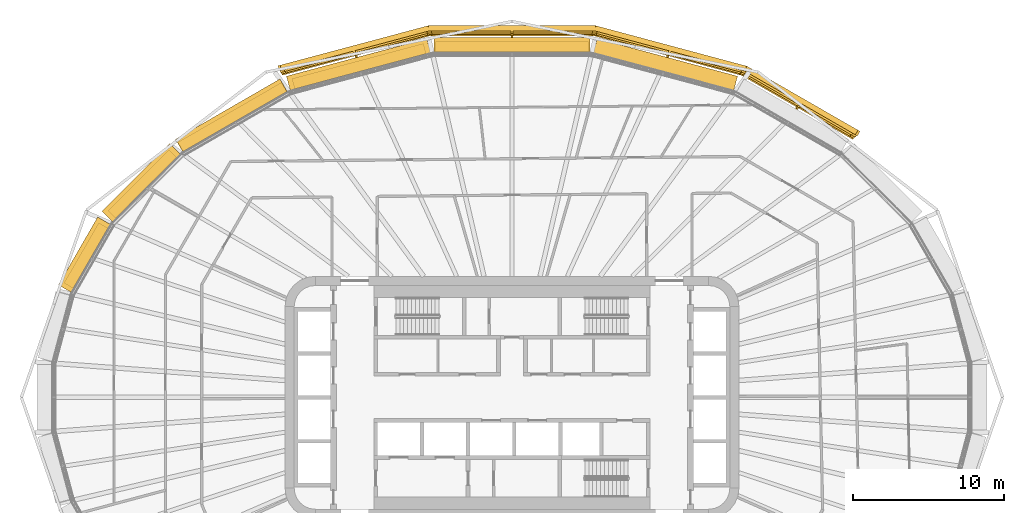
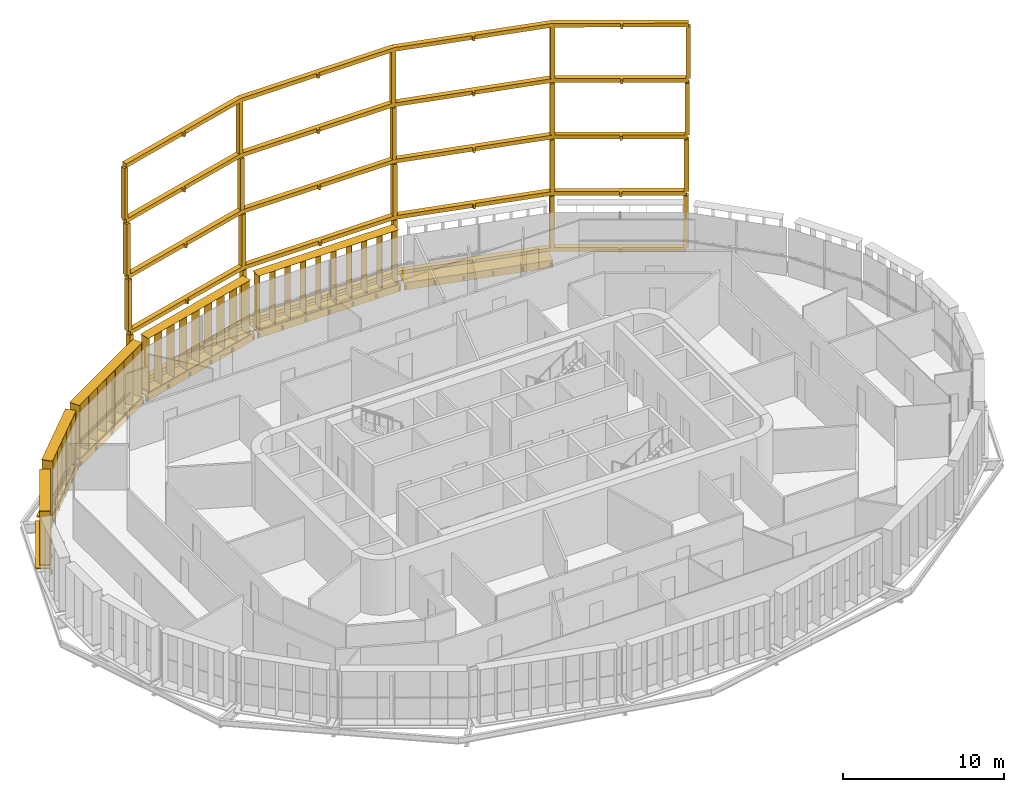
# One storey, part 21 of 22: 12 shading devices.
"""IFC4 building model written with IfcOpenShell, lengths in metres."""

from ifc_helpers import new_model, si_unit, direction, frame, origin, origin_2d, place, context, subcontext, project, spatial, polyline, rectangle, outline, extrude, material, type_object, element, save


model = new_model("IFC4")

# Units and contexts
model_context = context("Model", 3, precision=1e-05, world=origin(), true_north=direction((0.0, 1.0)))
body_context = subcontext(model_context, "Body", "Model", "MODEL_VIEW")
ifc_project = project(units=[si_unit("LENGTHUNIT", "METRE"), si_unit("AREAUNIT", "SQUARE_METRE"), si_unit("VOLUMEUNIT", "CUBIC_METRE"), si_unit("PLANEANGLEUNIT", "RADIAN"), si_unit("MASSUNIT", "GRAM", prefix="KILO")], contexts=[model_context])

# Site, building, storey
site_placement = place(None, origin())
site = spatial("IfcSite", under=ifc_project, at=site_placement, CompositionType="ELEMENT")
building_placement = place(site_placement, origin())
building = spatial("IfcBuilding", under=site, at=building_placement, Name="Sahrelin Media Tower", CompositionType="ELEMENT")
storey_placement = place(building_placement, frame((0.0, 0.0, 50.39990234375)))
storey = spatial("IfcBuildingStorey", under=building, at=storey_placement, Name="L07", CompositionType="ELEMENT", Elevation=50.39990234375)

# Shading devices
ifc_material_1 = material(Name="Dark bronze anodised aluminium 6063-T6", Category="aluminium")
shading_device_type_1 = type_object("IfcShadingDeviceType", Name="Deep frame", PredefinedType="USERDEFINED", material=ifc_material_1)
shading_device_1_placement = place(storey_placement, frame((21.818359375, 16.126708984375, 0.0), z_axis=(0.0, 0.0, 1.0), x_axis=(0.866019052629, -0.500011000363, 0.0)))
element("IfcShadingDevice", 1, at=shading_device_1_placement, inside=storey, type_object=shading_device_type_1, Name="L07:FRAME:F1-1", ObjectType="FRAME", PredefinedType="USERDEFINED", context=body_context, shape_type="SweptSolid", body=[
    extrude(rectangle(XDim=0.300048828125, YDim=0.35009765625, at=origin_2d()), frame((0.0, 1.324951171875, 0.14990234375), z_axis=(0.0, 0.0, 1.0), x_axis=(-1.0, 0.0, 0.0)), (0.0, 0.0, 1.0), 3.900146484375),
    extrude(rectangle(XDim=0.300048828125, YDim=0.35009765625, at=origin_2d()), frame((-8.346923828125, 1.313720703125, 0.14990234375), z_axis=(0.0, 0.0, 1.0), x_axis=(-0.991434606813, -0.130604059715, 0.0)), (0.0, 0.0, 1.0), 3.900146484375),
    extrude(rectangle(XDim=0.300048828125, YDim=0.35009765625, at=origin_2d()), frame((-18.153564453125, -1.31396484375, 0.14990234375), z_axis=(0.0, 0.0, 1.0), x_axis=(-0.923876860854, -0.382689882252, 0.0)), (0.0, 0.0, 1.0), 3.900146484375),
    extrude(rectangle(XDim=0.300048828125, YDim=0.35009765625, at=origin_2d()), frame((-27.57568359375, -6.75390625, 0.14990234375), z_axis=(0.0, 0.0, 1.0), x_axis=(-0.793400087474, -0.608700502051, 0.0)), (0.0, 0.0, 1.0), 3.900146484375),
    extrude(rectangle(XDim=0.300048828125, YDim=0.35009765625, at=origin_2d()), frame((-34.640380859375, -13.802490234375, 0.14990234375), z_axis=(0.0, 0.0, 1.0), x_axis=(-0.707106781187, -0.707106781187, 0.0)), (0.0, 0.0, 1.0), 3.900146484375),
    extrude(outline(polyline([(-4.162109375, 0.969970703125), (-4.011962890625, 0.969970703125), (-4.011962890625, 1.14453125), (0.000244140625, 1.14990234375), (-0.000244140625, 1.5), (-8.34716796875, 1.48876953125), (-8.346923828125, 1.313720703125), (-8.392333984375, 1.482666015625), (-18.19873046875, -1.14501953125), (-18.153564453125, -1.31396484375), (-18.240966796875, -1.16259765625), (-27.6630859375, -6.602294921875), (-27.57568359375, -6.75390625), (-27.69921875, -6.6298828125), (-34.763916015625, -13.6787109375), (-34.5166015625, -13.926513671875), (-31.098388671875, -10.51611328125), (-30.97509765625, -10.639404296875), (-30.869140625, -10.533203125), (-30.992431640625, -10.409912109375), (-27.46826171875, -6.89404296875), (-22.842041015625, -4.222900390625), (-22.7578125, -4.369140625), (-22.627685546875, -4.294189453125), (-22.712158203125, -4.14794921875), (-18.0859375, -1.47705078125), (-13.27734375, -0.188720703125), (-13.233642578125, -0.3515625), (-13.0888671875, -0.312744140625), (-13.132568359375, -0.14990234375), (-8.32373046875, 1.138671875), (-4.162109375, 1.144287109375), (-4.162109375, 0.969970703125)])), frame((0.0, 0.0, -0.14990234375)), (0.0, 0.0, 1.0), 0.2998046875),
    extrude(rectangle(XDim=0.300048828125, YDim=0.35009765625, at=origin_2d()), frame((0.0361328125, 1.413818359375, 4.35009765625), z_axis=(0.0, 0.0, 1.0), x_axis=(-1.0, 0.0, 0.0)), (0.0, 0.0, 1.0), 3.89990234375),
    extrude(rectangle(XDim=0.300048828125, YDim=0.35009765625, at=origin_2d()), frame((-8.339599609375, 1.402587890625, 4.35009765625), z_axis=(0.0, 0.0, 1.0), x_axis=(-0.991447594891, -0.130505427419, 0.0)), (0.0, 0.0, 1.0), 3.89990234375),
    extrude(rectangle(XDim=0.300048828125, YDim=0.35009765625, at=origin_2d()), frame((-18.178955078125, -1.23388671875, 4.35009765625), z_axis=(0.0, 0.0, 1.0), x_axis=(-0.923876860854, -0.382689882252, 0.0)), (0.0, 0.0, 1.0), 3.89990234375),
    extrude(rectangle(XDim=0.300048828125, YDim=0.35009765625, at=origin_2d()), frame((-27.63232421875, -6.69189453125, 4.35009765625), z_axis=(0.0, 0.0, 1.0), x_axis=(-0.793362902596, -0.608748966968, 0.0)), (0.0, 0.0, 1.0), 3.89990234375),
    extrude(rectangle(XDim=0.300048828125, YDim=0.35009765625, at=origin_2d()), frame((-34.720947265625, -13.764404296875, 4.35009765625), z_axis=(0.0, 0.0, 1.0), x_axis=(-0.707106781187, -0.707106781187, 0.0)), (0.0, 0.0, 1.0), 3.89990234375),
    extrude(outline(polyline([(-4.140380859375, 1.058837890625), (-3.990234375, 1.058837890625), (-3.990234375, 1.2333984375), (0.036376953125, 1.239013671875), (0.035888671875, 1.5888671875), (-8.33984375, 1.577392578125), (-8.339599609375, 1.402587890625), (-8.385009765625, 1.571533203125), (-18.224365234375, -1.06494140625), (-18.178955078125, -1.23388671875), (-18.2666015625, -1.08251953125), (-27.7197265625, -6.540283203125), (-27.63232421875, -6.69189453125), (-27.755859375, -6.56787109375), (-34.844482421875, -13.640380859375), (-34.597412109375, -13.88818359375), (-31.1669921875, -10.4658203125), (-31.043701171875, -10.58935546875), (-30.937744140625, -10.483154296875), (-31.06103515625, -10.35986328125), (-27.52490234375, -6.831787109375), (-22.883056640625, -4.15185546875), (-22.798828125, -4.298095703125), (-22.6689453125, -4.222900390625), (-22.753173828125, -4.076904296875), (-18.111572265625, -1.39697265625), (-13.28662109375, -0.104248046875), (-13.242919921875, -0.26708984375), (-13.097900390625, -0.228271484375), (-13.1416015625, -0.0654296875), (-8.31640625, 1.2275390625), (-4.140380859375, 1.233154296875), (-4.140380859375, 1.058837890625)])), frame((0.0, 0.0, 4.050048828125)), (0.0, 0.0, 1.0), 0.300048828125),
    extrude(rectangle(XDim=0.300048828125, YDim=0.35009765625, at=origin_2d()), frame((0.084716796875, 1.5341796875, 8.550048828125), z_axis=(0.0, 0.0, 1.0), x_axis=(-1.0, 0.0, 0.0)), (0.0, 0.0, 1.0), 3.89990234375),
    extrude(rectangle(XDim=0.300048828125, YDim=0.35009765625, at=origin_2d()), frame((-8.329833984375, 1.522705078125, 8.550048828125), z_axis=(0.0, 0.0, 1.0), x_axis=(-0.991449189241, -0.130493314592, 0.0)), (0.0, 0.0, 1.0), 3.89990234375),
    extrude(rectangle(XDim=0.300048828125, YDim=0.35009765625, at=origin_2d()), frame((-18.21337890625, -1.12548828125, 8.550048828125), z_axis=(0.0, 0.0, 1.0), x_axis=(-0.923862165937, -0.382725356294, 0.0)), (0.0, 0.0, 1.0), 3.89990234375),
    extrude(rectangle(XDim=0.300048828125, YDim=0.35009765625, at=origin_2d()), frame((-27.708984375, -6.607666015625, 8.550048828125), z_axis=(0.0, 0.0, 1.0), x_axis=(-0.793400087474, -0.608700502051, 0.0)), (0.0, 0.0, 1.0), 3.89990234375),
    extrude(rectangle(XDim=0.300048828125, YDim=0.35009765625, at=origin_2d()), frame((-34.829833984375, -13.712646484375, 8.550048828125), z_axis=(0.0, 0.0, 1.0), x_axis=(-0.707056179876, -0.707157378876, 0.0)), (0.0, 0.0, 1.0), 3.89990234375),
    extrude(outline(polyline([(-4.111083984375, 1.17919921875), (-3.961181640625, 1.17919921875), (-3.961181640625, 1.353759765625), (0.0849609375, 1.359130859375), (0.084716796875, 1.708984375), (-8.330078125, 1.69775390625), (-8.329833984375, 1.522705078125), (-8.375244140625, 1.69189453125), (-18.2587890625, -0.956298828125), (-18.21337890625, -1.12548828125), (-18.301025390625, -0.973876953125), (-27.79638671875, -6.4560546875), (-27.708984375, -6.607666015625), (-27.83251953125, -6.48388671875), (-34.95361328125, -13.5888671875), (-34.706298828125, -13.83642578125), (-31.260009765625, -10.39794921875), (-31.13671875, -10.521484375), (-31.030517578125, -10.415283203125), (-31.15380859375, -10.2919921875), (-27.6015625, -6.747802734375), (-22.938720703125, -4.0556640625), (-22.8544921875, -4.20166015625), (-22.724609375, -4.126708984375), (-22.808837890625, -3.980712890625), (-18.14599609375, -1.28857421875), (-13.298828125, 0.01025390625), (-13.255126953125, -0.152587890625), (-13.1103515625, -0.114013671875), (-13.154052734375, 0.049072265625), (-8.306884765625, 1.347900390625), (-4.111083984375, 1.353515625), (-4.111083984375, 1.17919921875)])), frame((0.0, 0.0, 8.25)), (0.0, 0.0, 1.0), 0.300048828125),
    extrude(rectangle(XDim=0.300048828125, YDim=0.35009765625, at=origin_2d()), frame((0.14306640625, 1.677490234375, 12.75), z_axis=(0.0, 0.0, 1.0), x_axis=(-1.0, 0.0, 0.0)), (0.0, 0.0, 1.0), 3.89990234375),
    extrude(rectangle(XDim=0.300048828125, YDim=0.35009765625, at=origin_2d()), frame((-8.318115234375, 1.666015625, 12.75), z_axis=(0.0, 0.0, 1.0), x_axis=(-0.991434606813, -0.130604059715, 0.0)), (0.0, 0.0, 1.0), 3.89990234375),
    extrude(rectangle(XDim=0.300048828125, YDim=0.35009765625, at=origin_2d()), frame((-18.25439453125, -0.996337890625, 12.75), z_axis=(0.0, 0.0, 1.0), x_axis=(-0.923876860854, -0.382689882252, 0.0)), (0.0, 0.0, 1.0), 3.89990234375),
    extrude(rectangle(XDim=0.300048828125, YDim=0.35009765625, at=origin_2d()), frame((-27.80029296875, -6.5078125, 12.75), z_axis=(0.0, 0.0, 1.0), x_axis=(-0.793362902596, -0.608748966968, 0.0)), (0.0, 0.0, 1.0), 3.89990234375),
    extrude(rectangle(XDim=0.300048828125, YDim=0.35009765625, at=origin_2d()), frame((-34.9599609375, -13.651123046875, 12.75), z_axis=(0.0, 0.0, 1.0), x_axis=(-0.707106781187, -0.707106781187, 0.0)), (0.0, 0.0, 1.0), 3.89990234375),
    extrude(outline(polyline([(-4.076171875, 1.322509765625), (-3.926025390625, 1.322509765625), (-3.926025390625, 1.496826171875), (0.143310546875, 1.50244140625), (0.142578125, 1.852294921875), (-8.318359375, 1.841064453125), (-8.318115234375, 1.666015625), (-8.363525390625, 1.835205078125), (-18.2998046875, -0.827392578125), (-18.25439453125, -0.996337890625), (-18.341796875, -0.8447265625), (-27.887939453125, -6.356201171875), (-27.80029296875, -6.5078125), (-27.924072265625, -6.3837890625), (-35.08349609375, -13.52734375), (-34.836181640625, -13.775146484375), (-31.37060546875, -10.317138671875), (-31.247314453125, -10.440673828125), (-31.14111328125, -10.33447265625), (-31.264404296875, -10.211181640625), (-27.693115234375, -6.647705078125), (-23.0048828125, -3.94091796875), (-22.92041015625, -4.087158203125), (-22.79052734375, -4.01220703125), (-22.875, -3.865966796875), (-18.18701171875, -1.159423828125), (-13.3134765625, 0.146484375), (-13.269775390625, -0.0166015625), (-13.125, 0.022216796875), (-13.168701171875, 0.185302734375), (-8.294921875, 1.4912109375), (-4.076171875, 1.49658203125), (-4.076171875, 1.322509765625)])), frame((0.0, 0.0, 12.449951171875)), (0.0, 0.0, 1.0), 0.300048828125),
    extrude(outline(polyline([(-4.076171875, 1.322509765625), (-3.926025390625, 1.322509765625), (-3.926025390625, 1.496826171875), (0.143310546875, 1.50244140625), (0.142578125, 1.852294921875), (-8.318359375, 1.841064453125), (-8.318115234375, 1.666015625), (-8.363525390625, 1.835205078125), (-18.2998046875, -0.827392578125), (-18.25439453125, -0.996337890625), (-18.341796875, -0.8447265625), (-27.887939453125, -6.356201171875), (-27.80029296875, -6.5078125), (-27.924072265625, -6.3837890625), (-35.08349609375, -13.52734375), (-34.836181640625, -13.775146484375), (-31.37060546875, -10.317138671875), (-31.247314453125, -10.440673828125), (-31.14111328125, -10.33447265625), (-31.264404296875, -10.211181640625), (-27.693115234375, -6.647705078125), (-23.0048828125, -3.94091796875), (-22.92041015625, -4.087158203125), (-22.79052734375, -4.01220703125), (-22.875, -3.865966796875), (-18.18701171875, -1.159423828125), (-13.3134765625, 0.146484375), (-13.269775390625, -0.0166015625), (-13.125, 0.022216796875), (-13.168701171875, 0.185302734375), (-8.294921875, 1.4912109375), (-4.076171875, 1.49658203125), (-4.076171875, 1.322509765625)])), frame((0.0, 0.0, 16.64990234375)), (0.0, 0.0, 1.0), 0.300048828125),
])
ifc_material_2 = material(Name="Champagne anodised aluminium 6063-T6", Category="aluminium")
shading_device_type_2 = type_object("IfcShadingDeviceType", Name="Fin cassette", PredefinedType="USERDEFINED", material=ifc_material_2)
placement_1 = place(storey_placement, frame((0.0, 22.751708984375, 0.0), z_axis=(0.0, 0.0, 1.0), x_axis=(1.0, 0.0, 0.0)))
element("IfcShadingDevice", 2, at=placement_1, inside=storey, type_object=shading_device_type_2, Name="L07:FIN:L07-06", ObjectType="FIN", PredefinedType="USERDEFINED", context=body_context, shape_type="SweptSolid", body=[
    extrude(rectangle(XDim=10.10009765625, YDim=0.699951171875, at=origin_2d()), frame((0.0, 0.419921875, 0.0)), (0.0, 0.0, 1.0), 0.02001953125),
    extrude(rectangle(XDim=10.10009765625, YDim=0.699951171875, at=origin_2d()), frame((0.0, 0.419921875, 4.10009765625)), (0.0, 0.0, 1.0), 0.02001953125),
    extrude(rectangle(XDim=0.02001953125, YDim=0.699951171875, at=origin_2d()), frame((-4.949951171875, 0.419921875, 0.010009765625), z_axis=(0.0, 0.0, 1.0), x_axis=(1.0, 0.0, 0.0)), (0.0, 0.0, 1.0), 4.10009765625),
    extrude(rectangle(XDim=0.02001953125, YDim=0.699951171875, at=origin_2d()), frame((-3.85009765625, 0.419921875, 0.010009765625), z_axis=(0.0, 0.0, 1.0), x_axis=(1.0, 0.0, 0.0)), (0.0, 0.0, 1.0), 4.10009765625),
    extrude(rectangle(XDim=0.02001953125, YDim=0.699951171875, at=origin_2d()), frame((-2.75, 0.419921875, 0.010009765625), z_axis=(0.0, 0.0, 1.0), x_axis=(1.0, 0.0, 0.0)), (0.0, 0.0, 1.0), 4.10009765625),
    extrude(rectangle(XDim=0.02001953125, YDim=0.699951171875, at=origin_2d()), frame((-1.64990234375, 0.419921875, 0.010009765625), z_axis=(0.0, 0.0, 1.0), x_axis=(1.0, 0.0, 0.0)), (0.0, 0.0, 1.0), 4.10009765625),
    extrude(rectangle(XDim=0.02001953125, YDim=0.699951171875, at=origin_2d()), frame((-0.550048828125, 0.419921875, 0.010009765625), z_axis=(0.0, 0.0, 1.0), x_axis=(1.0, 0.0, 0.0)), (0.0, 0.0, 1.0), 4.10009765625),
    extrude(rectangle(XDim=0.02001953125, YDim=0.699951171875, at=origin_2d()), frame((0.550048828125, 0.419921875, 0.010009765625), z_axis=(0.0, 0.0, 1.0), x_axis=(1.0, 0.0, 0.0)), (0.0, 0.0, 1.0), 4.10009765625),
    extrude(rectangle(XDim=0.02001953125, YDim=0.699951171875, at=origin_2d()), frame((1.64990234375, 0.419921875, 0.010009765625), z_axis=(0.0, 0.0, 1.0), x_axis=(1.0, 0.0, 0.0)), (0.0, 0.0, 1.0), 4.10009765625),
    extrude(rectangle(XDim=0.02001953125, YDim=0.699951171875, at=origin_2d()), frame((2.75, 0.419921875, 0.010009765625), z_axis=(0.0, 0.0, 1.0), x_axis=(1.0, 0.0, 0.0)), (0.0, 0.0, 1.0), 4.10009765625),
    extrude(rectangle(XDim=0.02001953125, YDim=0.699951171875, at=origin_2d()), frame((3.85009765625, 0.419921875, 0.010009765625), z_axis=(0.0, 0.0, 1.0), x_axis=(1.0, 0.0, 0.0)), (0.0, 0.0, 1.0), 4.10009765625),
    extrude(rectangle(XDim=0.02001953125, YDim=0.699951171875, at=origin_2d()), frame((4.949951171875, 0.419921875, 0.010009765625), z_axis=(0.0, 0.0, 1.0), x_axis=(1.0, 0.0, 0.0)), (0.0, 0.0, 1.0), 4.10009765625),
])
placement_2 = place(storey_placement, frame((-10.003173828125, 21.482666015625, 0.0), z_axis=(0.0, 0.0, 1.0), x_axis=(0.965928857556, 0.258807731996, 0.0)))
element("IfcShadingDevice", 3, at=placement_2, inside=storey, type_object=shading_device_type_2, Name="L07:FIN:L07-07", ObjectType="FIN", PredefinedType="USERDEFINED", context=body_context, shape_type="SweptSolid", body=[
    extrude(rectangle(XDim=9.0, YDim=0.699951171875, at=origin_2d()), frame((0.0, 0.419921875, 0.0)), (0.0, 0.0, 1.0), 0.02001953125),
    extrude(rectangle(XDim=9.0, YDim=0.699951171875, at=origin_2d()), frame((0.0, 0.419921875, 4.10009765625)), (0.0, 0.0, 1.0), 0.02001953125),
    extrude(rectangle(XDim=0.02001953125, YDim=0.699951171875, at=origin_2d()), frame((-4.39990234375, 0.419921875, 0.010009765625), z_axis=(0.0, 0.0, 1.0), x_axis=(1.0, 0.0, 0.0)), (0.0, 0.0, 1.0), 4.10009765625),
    extrude(rectangle(XDim=0.02001953125, YDim=0.699951171875, at=origin_2d()), frame((-3.300048828125, 0.419921875, 0.010009765625), z_axis=(0.0, 0.0, 1.0), x_axis=(1.0, 0.0, 0.0)), (0.0, 0.0, 1.0), 4.10009765625),
    extrude(rectangle(XDim=0.02001953125, YDim=0.699951171875, at=origin_2d()), frame((-2.199951171875, 0.419921875, 0.010009765625), z_axis=(0.0, 0.0, 1.0), x_axis=(1.0, 0.0, 0.0)), (0.0, 0.0, 1.0), 4.10009765625),
    extrude(rectangle(XDim=0.02001953125, YDim=0.699951171875, at=origin_2d()), frame((-1.10009765625, 0.419921875, 0.010009765625), z_axis=(0.0, 0.0, 1.0), x_axis=(1.0, 0.0, 0.0)), (0.0, 0.0, 1.0), 4.10009765625),
    extrude(rectangle(XDim=0.02001953125, YDim=0.699951171875, at=origin_2d()), frame((0.0, 0.419921875, 0.010009765625), z_axis=(0.0, 0.0, 1.0), x_axis=(1.0, 0.0, 0.0)), (0.0, 0.0, 1.0), 4.10009765625),
    extrude(rectangle(XDim=0.02001953125, YDim=0.699951171875, at=origin_2d()), frame((1.10009765625, 0.419921875, 0.010009765625), z_axis=(0.0, 0.0, 1.0), x_axis=(1.0, 0.0, 0.0)), (0.0, 0.0, 1.0), 4.10009765625),
    extrude(rectangle(XDim=0.02001953125, YDim=0.699951171875, at=origin_2d()), frame((2.199951171875, 0.419921875, 0.010009765625), z_axis=(0.0, 0.0, 1.0), x_axis=(1.0, 0.0, 0.0)), (0.0, 0.0, 1.0), 4.10009765625),
    extrude(rectangle(XDim=0.02001953125, YDim=0.699951171875, at=origin_2d()), frame((3.300048828125, 0.419921875, 0.010009765625), z_axis=(0.0, 0.0, 1.0), x_axis=(1.0, 0.0, 0.0)), (0.0, 0.0, 1.0), 4.10009765625),
    extrude(rectangle(XDim=0.02001953125, YDim=0.699951171875, at=origin_2d()), frame((4.39990234375, 0.419921875, 0.010009765625), z_axis=(0.0, 0.0, 1.0), x_axis=(1.0, 0.0, 0.0)), (0.0, 0.0, 1.0), 4.10009765625),
])
placement_3 = place(storey_placement, frame((-18.27880859375, 18.170166015625, 0.0), z_axis=(0.0, 0.0, 1.0), x_axis=(0.866019052629, 0.500011000363, 0.0)))
element("IfcShadingDevice", 4, at=placement_3, inside=storey, type_object=shading_device_type_2, Name="L07:FIN:L07-08", ObjectType="FIN", PredefinedType="USERDEFINED", context=body_context, shape_type="SweptSolid", body=[
    extrude(rectangle(XDim=7.89990234375, YDim=0.699951171875, at=origin_2d()), frame((0.0, 0.419921875, 0.0)), (0.0, 0.0, 1.0), 0.02001953125),
    extrude(rectangle(XDim=7.89990234375, YDim=0.699951171875, at=origin_2d()), frame((0.0, 0.419921875, 4.10009765625)), (0.0, 0.0, 1.0), 0.02001953125),
    extrude(rectangle(XDim=0.02001953125, YDim=0.699951171875, at=origin_2d()), frame((-3.85009765625, 0.419921875, 0.010009765625), z_axis=(0.0, 0.0, 1.0), x_axis=(1.0, 0.0, 0.0)), (0.0, 0.0, 1.0), 4.10009765625),
    extrude(rectangle(XDim=0.02001953125, YDim=0.699951171875, at=origin_2d()), frame((-2.75, 0.419921875, 0.010009765625), z_axis=(0.0, 0.0, 1.0), x_axis=(1.0, 0.0, 0.0)), (0.0, 0.0, 1.0), 4.10009765625),
    extrude(rectangle(XDim=0.02001953125, YDim=0.699951171875, at=origin_2d()), frame((-1.64990234375, 0.419921875, 0.010009765625), z_axis=(0.0, 0.0, 1.0), x_axis=(1.0, 0.0, 0.0)), (0.0, 0.0, 1.0), 4.10009765625),
    extrude(rectangle(XDim=0.02001953125, YDim=0.699951171875, at=origin_2d()), frame((-0.550048828125, 0.419921875, 0.010009765625), z_axis=(0.0, 0.0, 1.0), x_axis=(1.0, 0.0, 0.0)), (0.0, 0.0, 1.0), 4.10009765625),
    extrude(rectangle(XDim=0.02001953125, YDim=0.699951171875, at=origin_2d()), frame((0.550048828125, 0.419921875, 0.010009765625), z_axis=(0.0, 0.0, 1.0), x_axis=(1.0, 0.0, 0.0)), (0.0, 0.0, 1.0), 4.10009765625),
    extrude(rectangle(XDim=0.02001953125, YDim=0.699951171875, at=origin_2d()), frame((1.64990234375, 0.419921875, 0.010009765625), z_axis=(0.0, 0.0, 1.0), x_axis=(1.0, 0.0, 0.0)), (0.0, 0.0, 1.0), 4.10009765625),
    extrude(rectangle(XDim=0.02001953125, YDim=0.699951171875, at=origin_2d()), frame((2.75, 0.419921875, 0.010009765625), z_axis=(0.0, 0.0, 1.0), x_axis=(1.0, 0.0, 0.0)), (0.0, 0.0, 1.0), 4.10009765625),
    extrude(rectangle(XDim=0.02001953125, YDim=0.699951171875, at=origin_2d()), frame((3.85009765625, 0.419921875, 0.010009765625), z_axis=(0.0, 0.0, 1.0), x_axis=(1.0, 0.0, 0.0)), (0.0, 0.0, 1.0), 4.10009765625),
])
placement_4 = place(storey_placement, frame((-24.134033203125, 13.810791015625, 0.0), z_axis=(0.0, 0.0, 1.0), x_axis=(0.707106781187, 0.707106781187, 0.0)))
element("IfcShadingDevice", 5, at=placement_4, inside=storey, type_object=shading_device_type_2, Name="L07:FIN:L07-09", ObjectType="FIN", PredefinedType="USERDEFINED", context=body_context, shape_type="SweptSolid", body=[
    extrude(rectangle(XDim=5.699951171875, YDim=0.699951171875, at=origin_2d()), frame((0.0, 0.419921875, 0.0)), (0.0, 0.0, 1.0), 0.02001953125),
    extrude(rectangle(XDim=5.699951171875, YDim=0.699951171875, at=origin_2d()), frame((0.0, 0.419921875, 4.10009765625)), (0.0, 0.0, 1.0), 0.02001953125),
    extrude(rectangle(XDim=0.02001953125, YDim=0.699951171875, at=origin_2d()), frame((-2.75, 0.419921875, 0.010009765625), z_axis=(0.0, 0.0, 1.0), x_axis=(1.0, 0.0, 0.0)), (0.0, 0.0, 1.0), 4.10009765625),
    extrude(rectangle(XDim=0.02001953125, YDim=0.699951171875, at=origin_2d()), frame((-1.64990234375, 0.419921875, 0.010009765625), z_axis=(0.0, 0.0, 1.0), x_axis=(1.0, 0.0, 0.0)), (0.0, 0.0, 1.0), 4.10009765625),
    extrude(rectangle(XDim=0.02001953125, YDim=0.699951171875, at=origin_2d()), frame((-0.550048828125, 0.419921875, 0.010009765625), z_axis=(0.0, 0.0, 1.0), x_axis=(1.0, 0.0, 0.0)), (0.0, 0.0, 1.0), 4.10009765625),
    extrude(rectangle(XDim=0.02001953125, YDim=0.699951171875, at=origin_2d()), frame((0.550048828125, 0.419921875, 0.010009765625), z_axis=(0.0, 0.0, 1.0), x_axis=(1.0, 0.0, 0.0)), (0.0, 0.0, 1.0), 4.10009765625),
    extrude(rectangle(XDim=0.02001953125, YDim=0.699951171875, at=origin_2d()), frame((1.64990234375, 0.419921875, 0.010009765625), z_axis=(0.0, 0.0, 1.0), x_axis=(1.0, 0.0, 0.0)), (0.0, 0.0, 1.0), 4.10009765625),
    extrude(rectangle(XDim=0.02001953125, YDim=0.699951171875, at=origin_2d()), frame((2.75, 0.419921875, 0.010009765625), z_axis=(0.0, 0.0, 1.0), x_axis=(1.0, 0.0, 0.0)), (0.0, 0.0, 1.0), 4.10009765625),
])
placement_5 = place(storey_placement, frame((-27.79638671875, 9.162841796875, 0.0), z_axis=(0.0, 0.0, 1.0), x_axis=(0.500011000363, 0.866019052629, 0.0)))
element("IfcShadingDevice", 6, at=placement_5, inside=storey, type_object=shading_device_type_2, Name="L07:FIN:L07-10", ObjectType="FIN", PredefinedType="USERDEFINED", context=body_context, shape_type="SweptSolid", body=[
    extrude(rectangle(XDim=4.60009765625, YDim=0.699951171875, at=origin_2d()), frame((0.0, 0.419921875, 0.0)), (0.0, 0.0, 1.0), 0.02001953125),
    extrude(rectangle(XDim=4.60009765625, YDim=0.699951171875, at=origin_2d()), frame((0.0, 0.419921875, 4.10009765625)), (0.0, 0.0, 1.0), 0.02001953125),
    extrude(rectangle(XDim=0.02001953125, YDim=0.699951171875, at=origin_2d()), frame((-2.199951171875, 0.419921875, 0.010009765625), z_axis=(0.0, 0.0, 1.0), x_axis=(1.0, 0.0, 0.0)), (0.0, 0.0, 1.0), 4.10009765625),
    extrude(rectangle(XDim=0.02001953125, YDim=0.699951171875, at=origin_2d()), frame((-1.10009765625, 0.419921875, 0.010009765625), z_axis=(0.0, 0.0, 1.0), x_axis=(1.0, 0.0, 0.0)), (0.0, 0.0, 1.0), 4.10009765625),
    extrude(rectangle(XDim=0.02001953125, YDim=0.699951171875, at=origin_2d()), frame((0.0, 0.419921875, 0.010009765625), z_axis=(0.0, 0.0, 1.0), x_axis=(1.0, 0.0, 0.0)), (0.0, 0.0, 1.0), 4.10009765625),
    extrude(rectangle(XDim=0.02001953125, YDim=0.699951171875, at=origin_2d()), frame((1.10009765625, 0.419921875, 0.010009765625), z_axis=(0.0, 0.0, 1.0), x_axis=(1.0, 0.0, 0.0)), (0.0, 0.0, 1.0), 4.10009765625),
    extrude(rectangle(XDim=0.02001953125, YDim=0.699951171875, at=origin_2d()), frame((2.199951171875, 0.419921875, 0.010009765625), z_axis=(0.0, 0.0, 1.0), x_axis=(1.0, 0.0, 0.0)), (0.0, 0.0, 1.0), 4.10009765625),
])
shading_device_type_3 = type_object("IfcShadingDeviceType", Name="Sunshade band", PredefinedType="USERDEFINED", material=ifc_material_2)
shading_device_7_placement = place(storey_placement, frame((10.003173828125, 21.48291015625, 0.0), z_axis=(0.0, 0.0, 1.0), x_axis=(0.965928857556, -0.258807731996, 0.0)))
element("IfcShadingDevice", 7, at=shading_device_7_placement, inside=storey, type_object=shading_device_type_3, Name="L07:SUN:L07-05", ObjectType="SUNSHADE", PredefinedType="USERDEFINED", context=body_context, shape_type="SweptSolid", body=[
    extrude(rectangle(XDim=9.606689453125, YDim=0.050048828125, at=origin_2d()), frame((0.0, 0.044921875, -0.55126953125)), (0.0, 0.0, 1.0), 0.471435546875),
    extrude(rectangle(XDim=9.606689453125, YDim=1.0, at=origin_2d()), frame((0.0, 0.52001953125, -0.080078125)), (0.0, 0.0, 1.0), 0.080078125),
    extrude(rectangle(XDim=0.10009765625, YDim=0.074951171875, at=origin_2d()), frame((-4.703369140625, -0.017578125, -0.47021484375)), (0.0, 0.0, 1.0), 0.300048828125),
    extrude(rectangle(XDim=0.10009765625, YDim=0.074951171875, at=origin_2d()), frame((-2.822021484375, -0.017578125, -0.47021484375)), (0.0, 0.0, 1.0), 0.300048828125),
    extrude(rectangle(XDim=0.10009765625, YDim=0.074951171875, at=origin_2d()), frame((-0.940673828125, -0.017578125, -0.47021484375)), (0.0, 0.0, 1.0), 0.300048828125),
    extrude(rectangle(XDim=0.10009765625, YDim=0.074951171875, at=origin_2d()), frame((0.940673828125, -0.017578125, -0.47021484375)), (0.0, 0.0, 1.0), 0.300048828125),
    extrude(rectangle(XDim=0.10009765625, YDim=0.074951171875, at=origin_2d()), frame((2.822021484375, -0.017578125, -0.47021484375)), (0.0, 0.0, 1.0), 0.300048828125),
    extrude(rectangle(XDim=0.10009765625, YDim=0.074951171875, at=origin_2d()), frame((4.703369140625, -0.017578125, -0.47021484375)), (0.0, 0.0, 1.0), 0.300048828125),
])
element("IfcShadingDevice", 8, at=placement_1, inside=storey, type_object=shading_device_type_3, Name="L07:SUN:L07-06", ObjectType="SUNSHADE", PredefinedType="USERDEFINED", context=body_context, shape_type="SweptSolid", body=[
    extrude(rectangle(XDim=10.333740234375, YDim=0.050048828125, at=origin_2d()), frame((0.0, 0.044921875, -0.55126953125)), (0.0, 0.0, 1.0), 0.471435546875),
    extrude(rectangle(XDim=10.333740234375, YDim=1.0, at=origin_2d()), frame((0.0, 0.52001953125, -0.080078125)), (0.0, 0.0, 1.0), 0.080078125),
    extrude(rectangle(XDim=0.10009765625, YDim=0.074951171875, at=origin_2d()), frame((-5.06689453125, -0.017578125, -0.47021484375)), (0.0, 0.0, 1.0), 0.300048828125),
    extrude(rectangle(XDim=0.10009765625, YDim=0.074951171875, at=origin_2d()), frame((-3.3779296875, -0.017578125, -0.47021484375)), (0.0, 0.0, 1.0), 0.300048828125),
    extrude(rectangle(XDim=0.10009765625, YDim=0.074951171875, at=origin_2d()), frame((-1.68896484375, -0.017578125, -0.47021484375)), (0.0, 0.0, 1.0), 0.300048828125),
    extrude(rectangle(XDim=0.10009765625, YDim=0.074951171875, at=origin_2d()), frame((0.0, -0.017578125, -0.47021484375)), (0.0, 0.0, 1.0), 0.300048828125),
    extrude(rectangle(XDim=0.10009765625, YDim=0.074951171875, at=origin_2d()), frame((1.68896484375, -0.017578125, -0.47021484375)), (0.0, 0.0, 1.0), 0.300048828125),
    extrude(rectangle(XDim=0.10009765625, YDim=0.074951171875, at=origin_2d()), frame((3.3779296875, -0.017578125, -0.47021484375)), (0.0, 0.0, 1.0), 0.300048828125),
    extrude(rectangle(XDim=0.10009765625, YDim=0.074951171875, at=origin_2d()), frame((5.06689453125, -0.017578125, -0.47021484375)), (0.0, 0.0, 1.0), 0.300048828125),
])
element("IfcShadingDevice", 9, at=placement_2, inside=storey, type_object=shading_device_type_3, Name="L07:SUN:L07-07", ObjectType="SUNSHADE", PredefinedType="USERDEFINED", context=body_context, shape_type="SweptSolid", body=[
    extrude(rectangle(XDim=9.606689453125, YDim=0.050048828125, at=origin_2d()), frame((0.0, 0.044921875, -0.55126953125)), (0.0, 0.0, 1.0), 0.471435546875),
    extrude(rectangle(XDim=9.606689453125, YDim=1.0, at=origin_2d()), frame((0.0, 0.52001953125, -0.080078125)), (0.0, 0.0, 1.0), 0.080078125),
    extrude(rectangle(XDim=0.10009765625, YDim=0.074951171875, at=origin_2d()), frame((-4.703369140625, -0.017578125, -0.47021484375)), (0.0, 0.0, 1.0), 0.300048828125),
    extrude(rectangle(XDim=0.10009765625, YDim=0.074951171875, at=origin_2d()), frame((-2.822021484375, -0.017578125, -0.47021484375)), (0.0, 0.0, 1.0), 0.300048828125),
    extrude(rectangle(XDim=0.10009765625, YDim=0.074951171875, at=origin_2d()), frame((-0.940673828125, -0.017578125, -0.47021484375)), (0.0, 0.0, 1.0), 0.300048828125),
    extrude(rectangle(XDim=0.10009765625, YDim=0.074951171875, at=origin_2d()), frame((0.940673828125, -0.017578125, -0.47021484375)), (0.0, 0.0, 1.0), 0.300048828125),
    extrude(rectangle(XDim=0.10009765625, YDim=0.074951171875, at=origin_2d()), frame((2.822021484375, -0.017578125, -0.47021484375)), (0.0, 0.0, 1.0), 0.300048828125),
    extrude(rectangle(XDim=0.10009765625, YDim=0.074951171875, at=origin_2d()), frame((4.703369140625, -0.017578125, -0.47021484375)), (0.0, 0.0, 1.0), 0.300048828125),
])
element("IfcShadingDevice", 10, at=placement_3, inside=storey, type_object=shading_device_type_3, Name="L07:SUN:L07-08", ObjectType="SUNSHADE", PredefinedType="USERDEFINED", context=body_context, shape_type="SweptSolid", body=[
    extrude(rectangle(XDim=7.97412109375, YDim=0.050048828125, at=origin_2d()), frame((0.0, 0.044921875, -0.55126953125)), (0.0, 0.0, 1.0), 0.471435546875),
    extrude(rectangle(XDim=7.97412109375, YDim=1.0, at=origin_2d()), frame((0.0, 0.52001953125, -0.080078125)), (0.0, 0.0, 1.0), 0.080078125),
    extrude(rectangle(XDim=0.10009765625, YDim=0.074951171875, at=origin_2d()), frame((-3.886962890625, -0.017578125, -0.47021484375)), (0.0, 0.0, 1.0), 0.300048828125),
    extrude(rectangle(XDim=0.10009765625, YDim=0.074951171875, at=origin_2d()), frame((-1.943603515625, -0.017578125, -0.47021484375)), (0.0, 0.0, 1.0), 0.300048828125),
    extrude(rectangle(XDim=0.10009765625, YDim=0.074951171875, at=origin_2d()), frame((0.0, -0.017578125, -0.47021484375)), (0.0, 0.0, 1.0), 0.300048828125),
    extrude(rectangle(XDim=0.10009765625, YDim=0.074951171875, at=origin_2d()), frame((1.943603515625, -0.017578125, -0.47021484375)), (0.0, 0.0, 1.0), 0.300048828125),
    extrude(rectangle(XDim=0.10009765625, YDim=0.074951171875, at=origin_2d()), frame((3.886962890625, -0.017578125, -0.47021484375)), (0.0, 0.0, 1.0), 0.300048828125),
])
element("IfcShadingDevice", 11, at=placement_4, inside=storey, type_object=shading_device_type_3, Name="L07:SUN:L07-09", ObjectType="SUNSHADE", PredefinedType="USERDEFINED", context=body_context, shape_type="SweptSolid", body=[
    extrude(rectangle(XDim=6.35009765625, YDim=0.050048828125, at=origin_2d()), frame((0.0, 0.044921875, -0.55126953125)), (0.0, 0.0, 1.0), 0.471435546875),
    extrude(rectangle(XDim=6.35009765625, YDim=1.0, at=origin_2d()), frame((0.0, 0.52001953125, -0.080078125)), (0.0, 0.0, 1.0), 0.080078125),
    extrude(rectangle(XDim=0.10009765625, YDim=0.074951171875, at=origin_2d()), frame((-3.0751953125, -0.017578125, -0.47021484375)), (0.0, 0.0, 1.0), 0.300048828125),
    extrude(rectangle(XDim=0.10009765625, YDim=0.074951171875, at=origin_2d()), frame((-1.53759765625, -0.017578125, -0.47021484375)), (0.0, 0.0, 1.0), 0.300048828125),
    extrude(rectangle(XDim=0.10009765625, YDim=0.074951171875, at=origin_2d()), frame((0.0, -0.017578125, -0.47021484375)), (0.0, 0.0, 1.0), 0.300048828125),
    extrude(rectangle(XDim=0.10009765625, YDim=0.074951171875, at=origin_2d()), frame((1.53759765625, -0.017578125, -0.47021484375)), (0.0, 0.0, 1.0), 0.300048828125),
    extrude(rectangle(XDim=0.10009765625, YDim=0.074951171875, at=origin_2d()), frame((3.0751953125, -0.017578125, -0.47021484375)), (0.0, 0.0, 1.0), 0.300048828125),
])
element("IfcShadingDevice", 12, at=placement_5, inside=storey, type_object=shading_device_type_3, Name="L07:SUN:L07-10", ObjectType="SUNSHADE", PredefinedType="USERDEFINED", context=body_context, shape_type="SweptSolid", body=[
    extrude(rectangle(XDim=5.18603515625, YDim=0.050048828125, at=origin_2d()), frame((0.0, 0.044921875, -0.55126953125)), (0.0, 0.0, 1.0), 0.471435546875),
    extrude(rectangle(XDim=5.18603515625, YDim=1.0, at=origin_2d()), frame((0.0, 0.52001953125, -0.080078125)), (0.0, 0.0, 1.0), 0.080078125),
    extrude(rectangle(XDim=0.10009765625, YDim=0.074951171875, at=origin_2d()), frame((-2.492919921875, -0.017578125, -0.47021484375)), (0.0, 0.0, 1.0), 0.300048828125),
    extrude(rectangle(XDim=0.10009765625, YDim=0.074951171875, at=origin_2d()), frame((-0.8310546875, -0.017578125, -0.47021484375)), (0.0, 0.0, 1.0), 0.300048828125),
    extrude(rectangle(XDim=0.10009765625, YDim=0.074951171875, at=origin_2d()), frame((0.8310546875, -0.017578125, -0.47021484375)), (0.0, 0.0, 1.0), 0.300048828125),
    extrude(rectangle(XDim=0.10009765625, YDim=0.074951171875, at=origin_2d()), frame((2.492919921875, -0.017578125, -0.47021484375)), (0.0, 0.0, 1.0), 0.300048828125),
])

save(model, "model.ifc")
